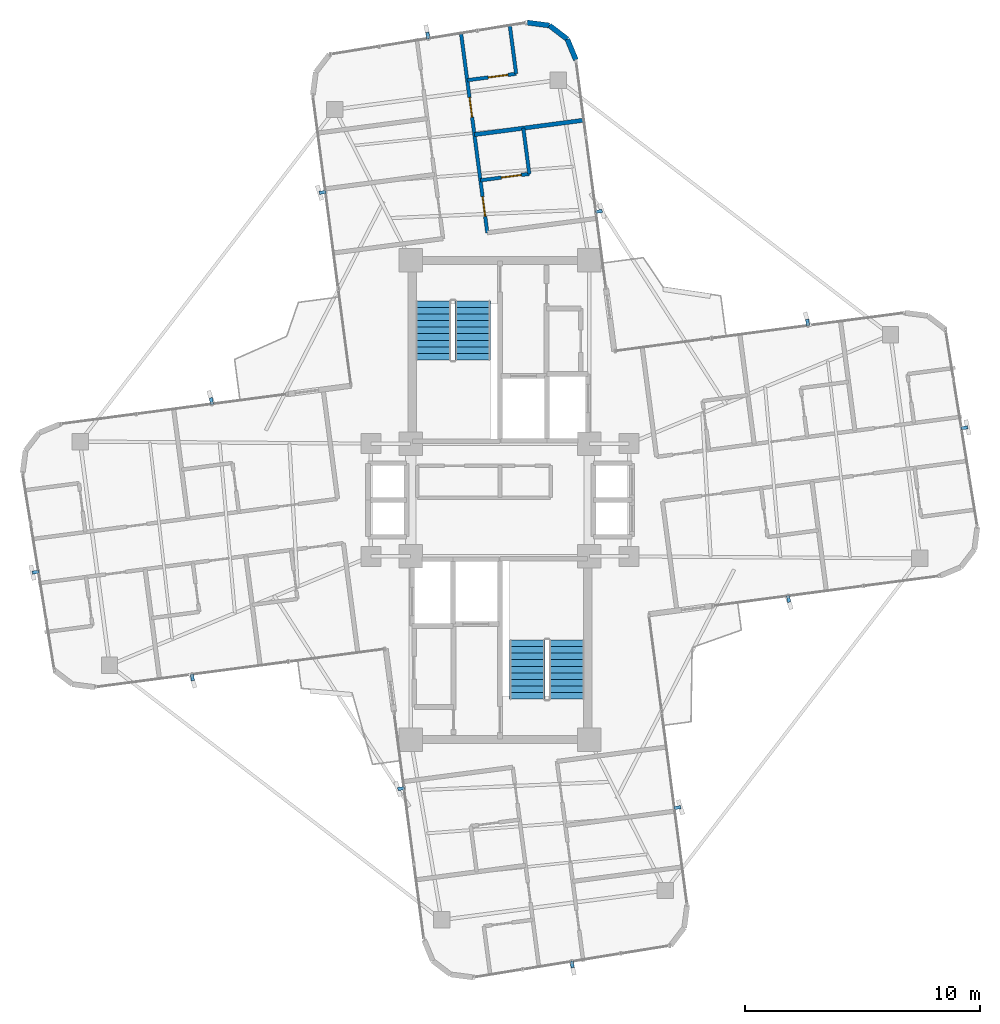
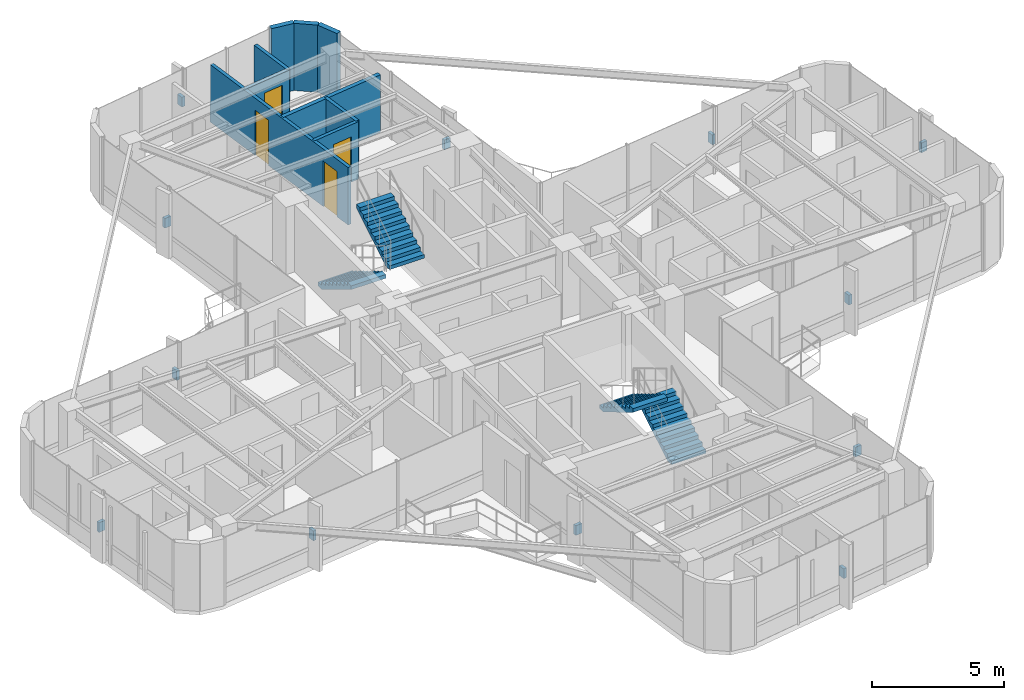
# One storey, part 21 of 22: 12 discrete accessories, 9 walls, 4 doors, 4 stair flights, 4 openings, 2 elements without a shape of their own.
"""IFC4 building model written with IfcOpenShell, lengths in metres."""

from ifc_helpers import new_model, si_unit, direction, frame, frame_2d, origin, origin_2d, place, context, subcontext, project, spatial, polyline, rectangle, outline, extrude, source, transform, mapped, material, layer, layer_set, type_object, element, fill, aggregate, save


model = new_model("IFC4")

# Units and contexts
model_context = context("Model", 3, precision=1e-05, world=origin(), true_north=direction((0.0, 1.0)))
body_context = subcontext(model_context, "Body", "Model", "MODEL_VIEW")
ifc_project = project(units=[si_unit("LENGTHUNIT", "METRE"), si_unit("AREAUNIT", "SQUARE_METRE"), si_unit("VOLUMEUNIT", "CUBIC_METRE"), si_unit("PLANEANGLEUNIT", "RADIAN"), si_unit("MASSUNIT", "GRAM", prefix="KILO")], contexts=[model_context])

# Site, building, storey
site_placement = place(None, origin())
site = spatial("IfcSite", under=ifc_project, at=site_placement, CompositionType="ELEMENT")
building_placement = place(site_placement, origin())
building = spatial("IfcBuilding", under=site, at=building_placement, Name="Sahyath Konkavel Grand Hotel", CompositionType="ELEMENT")
storey_placement = place(building_placement, frame((0.0, 0.0, 206.5)))
storey = spatial("IfcBuildingStorey", under=building, at=storey_placement, Name="L57", CompositionType="ELEMENT", Elevation=206.5)

# Walls
ifc_material_1 = material(Name="Warm Buff Sandstone Insulated Concrete C40/50", Category="masonry")
ifc_layer_1 = layer(ifc_material_1, 0.219970703125)
ifc_layer_set_1 = layer_set([ifc_layer_1], Name="Warm Buff Sandstone Insulated Concrete C40/50")
wall_type_1 = type_object("IfcWallType", Name="WLL-BALC-THRESH", PredefinedType="STANDARD", material=ifc_layer_set_1)
for number, where, z_axis, x_axis, name in (
    (1, (3.232666015625, 18.732177734375, 0.0), (0.0, 0.0, 1.0), (-0.382659506909, 0.923889442397, 0.0), "L57 Rounded Corner Sandstone Pier 9"),
    (2, (2.8662109375, 19.616943359375, 0.0), (0.0, 0.0, 1.0), (-0.793343685778, 0.608774010809, 0.0), "L57 Rounded Corner Sandstone Pier 10"),
    (3, (2.1064453125, 20.199951171875, 0.0), (0.0, 0.0, 1.0), (-0.991444747987, 0.130527053476, 0.0), "L57 Rounded Corner Sandstone Pier 11"),
):
    element("IfcWall", number, at=place(storey_placement, frame(where, z_axis=z_axis, x_axis=x_axis)), inside=storey, type_object=wall_type_1, Name=name, PredefinedType="STANDARD", context=body_context, shape_type="SweptSolid", body=[
        extrude(rectangle(XDim=0.957763671875, YDim=0.219970703125, at=frame_2d((0.47900390625, 0.0))), origin(), (0.0, 0.0, 1.0), 3.110107421875),
    ])
ifc_material_2 = material(Name="Twin-Stud Acoustic Gypsum Plasterboard Partition")
ifc_layer_2 = layer(ifc_material_2, 0.179931640625)
ifc_layer_set_2 = layer_set([ifc_layer_2], Name="Twin-Stud Acoustic Gypsum Plasterboard Partition")
wall_type_2 = type_object("IfcWallType", Name="WLL-DEMISE-180", PredefinedType="PARTITIONING", material=ifc_layer_set_2)
wall_1_placement = place(storey_placement, frame((-1.089599609375, 15.5546875, 0.0), z_axis=(0.0, 0.0, 1.0), x_axis=(0.991438025456, 0.130578105667, 0.0)))
element("IfcWall", 4, at=wall_1_placement, inside=storey, type_object=wall_type_2, Name="L57 Partition N-N1R-DEM", PredefinedType="PARTITIONING", context=body_context, shape_type="SweptSolid", body=[
    extrude(rectangle(XDim=4.64990234375, YDim=0.179931640625, at=frame_2d((2.324951171875, 0.0))), origin(), (0.0, 0.0, 1.0), 2.659912109375),
])

# Wall, openings, doors
ifc_material_3 = material(Name="Fire-Rated Gypsum Plasterboard Partition")
ifc_layer_3 = layer(ifc_material_3, 0.14990234375)
ifc_layer_set_3 = layer_set([ifc_layer_3], Name="Fire-Rated Gypsum Plasterboard Partition")
wall_type_3 = type_object("IfcWallType", Name="WLL-PART-150", PredefinedType="PARTITIONING", material=ifc_layer_set_3)
wall_2_placement = place(storey_placement, frame((-0.53955078125, 11.376953125, 0.0), z_axis=(0.0, 0.0, 1.0), x_axis=(-0.130530885115, 0.991444243531, 0.0)))
wall_2 = element("IfcWall", 5, at=wall_2_placement, inside=storey, type_object=wall_type_3, Name="L57 Partition N-CR", PredefinedType="PARTITIONING", context=body_context, shape_type="SweptSolid", body=[
    extrude(rectangle(XDim=8.599853515625, YDim=0.14990234375, at=frame_2d((4.2998046875, 0.0))), origin(), (0.0, 0.0, 1.0), 2.659912109375),
])
opening_1_placement = place(wall_2_placement, frame((0.699951171875, 0.0, 0.0)))
opening_1 = element("IfcOpeningElement", 6, at=opening_1_placement, cuts=wall_2, Name="Opening D-F06D", PredefinedType="OPENING", context=body_context, shape_type="SweptSolid", body=[
    extrude(rectangle(XDim=0.85009765625, YDim=2.10009765625, at=frame_2d((0.425048828125, 1.050048828125))), frame((0.0, 0.0849609375, 0.0), z_axis=(0.0, -1.0, 0.0), x_axis=(1.0, 0.0, 0.0)), (0.0, 0.0, 1.0), 0.169921875),
])
opening_2_placement = place(wall_2_placement, frame((4.95703125, 0.0, 0.0)))
opening_2 = element("IfcOpeningElement", 7, at=opening_2_placement, cuts=wall_2, Name="Opening D-F06D", PredefinedType="OPENING", context=body_context, shape_type="SweptSolid", body=[
    extrude(rectangle(XDim=0.85009765625, YDim=2.10009765625, at=frame_2d((0.425048828125, 1.050048828125))), frame((0.0, 0.0849609375, 0.0), z_axis=(0.0, -1.0, 0.0), x_axis=(1.0, 0.0, 0.0)), (0.0, 0.0, 1.0), 0.169921875),
])
ifc_material_4 = material(Name="Fire-Rated Shaft Access Door")
door_type_1 = type_object("IfcDoorType", Name="DR-FD60-850", OperationType="NOTDEFINED", PredefinedType="DOOR", material=ifc_material_4)
shared_shape_1 = source(origin(), body_context, "Body", "SweptSolid", [
    extrude(rectangle(XDim=0.85009765625, YDim=0.050048828125, at=origin_2d()), origin(), (0.0, 0.0, 1.0), 2.10009765625),
])
door_1_placement = place(opening_1_placement, frame((0.425048828125, 0.0, 0.0)))
door_1 = element("IfcDoor", 8, at=door_1_placement, inside=storey, type_object=door_type_1, Name="L57 Door N-N1R-ED", OperationType="SINGLE_SWING_LEFT", OverallHeight=2.10009765625, OverallWidth=0.85009765625, PredefinedType="DOOR", context=body_context, shape_type="MappedRepresentation", body=[
    mapped(shared_shape_1, transform((0.0, 0.0, 0.0), scale=1.0)),
])
fill(opening_1, door_1)
door_2_placement = place(opening_2_placement, frame((0.425048828125, 0.0, 0.0)))
door_2 = element("IfcDoor", 9, at=door_2_placement, inside=storey, type_object=door_type_1, Name="L57 Door N-N2R-ED", OperationType="SINGLE_SWING_LEFT", OverallHeight=2.10009765625, OverallWidth=0.85009765625, PredefinedType="DOOR", context=body_context, shape_type="MappedRepresentation", body=[
    mapped(shared_shape_1, transform((0.0, 0.0, 0.0), scale=1.0)),
])
fill(opening_2, door_2)

# Wall, opening, door
wall_3_placement = place(storey_placement, frame((-0.833251953125, 13.607666015625, 0.0), z_axis=(0.0, 0.0, 1.0), x_axis=(0.991440836415, 0.130556761174, 0.0)))
wall_3 = element("IfcWall", 10, at=wall_3_placement, inside=storey, type_object=wall_type_3, Name="L57 Partition N-N1R-BS", PredefinedType="PARTITIONING", context=body_context, shape_type="SweptSolid", body=[
    extrude(rectangle(XDim=2.10009765625, YDim=0.14990234375, at=frame_2d((1.050048828125, 0.0))), origin(), (0.0, 0.0, 1.0), 2.659912109375),
])
opening_3_placement = place(wall_3_placement, frame((0.89990234375, 0.0, 0.0)))
opening_3 = element("IfcOpeningElement", 11, at=opening_3_placement, cuts=wall_3, Name="Opening D-BT85", PredefinedType="OPENING", context=body_context, shape_type="SweptSolid", body=[
    extrude(rectangle(XDim=0.85009765625, YDim=2.10009765625, at=frame_2d((0.425048828125, 1.050048828125))), frame((0.0, 0.0849609375, 0.0), z_axis=(0.0, -1.0, 0.0), x_axis=(1.0, 0.0, 0.0)), (0.0, 0.0, 1.0), 0.169921875),
])
ifc_material_5 = material(Name="Moisture-Resistant Teak Bathroom Door")
door_type_2 = type_object("IfcDoorType", Name="DR-BATH-850", OperationType="NOTDEFINED", PredefinedType="DOOR", material=ifc_material_5)
door_3_placement = place(opening_3_placement, frame((0.425048828125, 0.0, 0.0)))
door_3 = element("IfcDoor", 12, at=door_3_placement, inside=storey, type_object=door_type_2, Name="L57 Door N-N1R-BD", OperationType="SINGLE_SWING_RIGHT", OverallHeight=2.10009765625, OverallWidth=0.85009765625, PredefinedType="DOOR", context=body_context, shape_type="MappedRepresentation", body=[
    mapped(shared_shape_1, transform((0.0, 0.0, 0.0), scale=1.0)),
])
fill(opening_3, door_3)

# Wall
wall_4_placement = place(storey_placement, frame((1.248779296875, 13.8818359375, 0.0), z_axis=(0.0, 0.0, 1.0), x_axis=(-0.130518821872, 0.991445831671, 0.0)))
element("IfcWall", 13, at=wall_4_placement, inside=storey, type_object=wall_type_3, Name="L57 Partition N-N1R-BF", PredefinedType="PARTITIONING", context=body_context, shape_type="SweptSolid", body=[
    extrude(rectangle(XDim=1.964111328125, YDim=0.14990234375, at=frame_2d((0.98193359375, 0.0))), origin(), (0.0, 0.0, 1.0), 2.659912109375),
])

# Wall, opening, door
wall_5_placement = place(storey_placement, frame((-1.39453125, 17.870849609375, 0.0), z_axis=(0.0, 0.0, 1.0), x_axis=(0.991440836415, 0.130556761174, 0.0)))
wall_5 = element("IfcWall", 14, at=wall_5_placement, inside=storey, type_object=wall_type_3, Name="L57 Partition N-N2R-BS", PredefinedType="PARTITIONING", context=body_context, shape_type="SweptSolid", body=[
    extrude(rectangle(XDim=2.10009765625, YDim=0.14990234375, at=frame_2d((1.050048828125, 0.0))), origin(), (0.0, 0.0, 1.0), 2.659912109375),
])
opening_4_placement = place(wall_5_placement, frame((0.89990234375, 0.0, 0.0)))
opening_4 = element("IfcOpeningElement", 15, at=opening_4_placement, cuts=wall_5, Name="Opening D-BT85", PredefinedType="OPENING", context=body_context, shape_type="SweptSolid", body=[
    extrude(rectangle(XDim=0.85009765625, YDim=2.10009765625, at=frame_2d((0.425048828125, 1.050048828125))), frame((0.0, 0.0849609375, 0.0), z_axis=(0.0, -1.0, 0.0), x_axis=(1.0, 0.0, 0.0)), (0.0, 0.0, 1.0), 0.169921875),
])
door_4_placement = place(opening_4_placement, frame((0.425048828125, 0.0, 0.0)))
door_4 = element("IfcDoor", 16, at=door_4_placement, inside=storey, type_object=door_type_2, Name="L57 Door N-N2R-BD", OperationType="SINGLE_SWING_RIGHT", OverallHeight=2.10009765625, OverallWidth=0.85009765625, PredefinedType="DOOR", context=body_context, shape_type="MappedRepresentation", body=[
    mapped(shared_shape_1, transform((0.0, 0.0, 0.0), scale=1.0)),
])
fill(opening_4, door_4)

# Wall
wall_6_placement = place(storey_placement, frame((0.6875, 18.14501953125, 0.0), z_axis=(0.0, 0.0, 1.0), x_axis=(-0.13052536781, 0.991444969909, 0.0)))
element("IfcWall", 17, at=wall_6_placement, inside=storey, type_object=wall_type_3, Name="L57 Partition N-N2R-BF", PredefinedType="PARTITIONING", context=body_context, shape_type="SweptSolid", body=[
    extrude(rectangle(XDim=2.050048828125, YDim=0.14990234375, at=frame_2d((1.02490234375, 0.0))), origin(), (0.0, 0.0, 1.0), 2.659912109375),
])

# Stair, stair flights
ifc_material_6 = material(Name="Concrete C40/50", Category="concrete")
stair_type = type_object("IfcStairType", Name="STR-ST16-335", PredefinedType="HALF_TURN_STAIR", material=ifc_material_6)
stair_1_placement = place(storey_placement, origin())
stair_1 = element("IfcStair", 18, at=stair_1_placement, inside=storey, type_object=stair_type, Name="L57 North Core Smokeproof Exit Stair ST-1", PredefinedType="HALF_TURN_STAIR")
stair_flight_type = type_object("IfcStairFlightType", Name="STF-ST16-335", PredefinedType="STRAIGHT", material=ifc_material_6)
stair_flight_1_placement = place(storey_placement, frame((-2.840087890625, 8.47998046875, 0.0), z_axis=(0.0, 0.0, 1.0), x_axis=(0.0, -1.0, 0.0)))
stair_flight_1 = element("IfcStairFlight", 19, at=stair_flight_1_placement, type_object=stair_flight_type, Name="ST-1 flight 1", NumberOfRisers=10, NumberOfTreads=9, PredefinedType="STRAIGHT", RiserHeight=0.1675, TreadLength=0.28, context=body_context, shape_type="SweptSolid", body=[
    extrude(outline(polyline([(0.0, 0.0), (0.0, 0.16748046875), (0.280029296875, 0.16748046875), (0.280029296875, 0.3349609375), (0.56005859375, 0.3349609375), (0.56005859375, 0.50244140625), (0.840087890625, 0.50244140625), (0.840087890625, 0.669921875), (1.1201171875, 0.669921875), (1.1201171875, 0.83740234375), (1.39990234375, 0.83740234375), (1.39990234375, 1.0048828125), (1.679931640625, 1.0048828125), (1.679931640625, 1.172607421875), (1.9599609375, 1.172607421875), (1.9599609375, 1.340087890625), (2.239990234375, 1.340087890625), (2.239990234375, 1.507568359375), (2.52001953125, 1.507568359375), (2.52001953125, 1.675048828125), (2.52001953125, 1.332763671875), (0.2919921875, 0.0), (0.0, 0.0)])), frame((0.0, 0.760009765625, 0.0), z_axis=(0.0, -1.0, 0.0), x_axis=(1.0, 0.0, 0.0)), (0.0, 0.0, 1.0), 1.52001953125),
])
stair_flight_2_placement = place(storey_placement, frame((-1.159912109375, 5.9599609375, 1.675048828125), z_axis=(0.0, 0.0, 1.0), x_axis=(0.0, 1.0, 0.0)))
stair_flight_2 = element("IfcStairFlight", 20, at=stair_flight_2_placement, type_object=stair_flight_type, Name="ST-1 flight 2", NumberOfRisers=10, NumberOfTreads=9, PredefinedType="STRAIGHT", RiserHeight=0.1675, TreadLength=0.28, context=body_context, shape_type="SweptSolid", body=[
    extrude(outline(polyline([(0.0, 0.0), (0.0, 0.16748046875), (0.280029296875, 0.16748046875), (0.280029296875, 0.3349609375), (0.56005859375, 0.3349609375), (0.56005859375, 0.50244140625), (0.840087890625, 0.50244140625), (0.840087890625, 0.669921875), (1.1201171875, 0.669921875), (1.1201171875, 0.83740234375), (1.39990234375, 0.83740234375), (1.39990234375, 1.0048828125), (1.679931640625, 1.0048828125), (1.679931640625, 1.172607421875), (1.9599609375, 1.172607421875), (1.9599609375, 1.340087890625), (2.239990234375, 1.340087890625), (2.239990234375, 1.507568359375), (2.52001953125, 1.507568359375), (2.52001953125, 1.675048828125), (2.52001953125, 1.332763671875), (0.2919921875, 0.0), (0.0, 0.0)])), frame((0.0, 0.760009765625, 0.0), z_axis=(0.0, -1.0, 0.0), x_axis=(1.0, 0.0, 0.0)), (0.0, 0.0, 1.0), 1.52001953125),
])
aggregate(stair_1, [stair_flight_1, stair_flight_2])

stair_2_placement = place(storey_placement, origin())
stair_2 = element("IfcStair", 21, at=stair_2_placement, inside=storey, type_object=stair_type, Name="L57 South Core Smokeproof Exit Stair ST-2", PredefinedType="HALF_TURN_STAIR")
stair_flight_3_placement = place(storey_placement, frame((2.840087890625, -8.47998046875, 0.0), z_axis=(0.0, 0.0, 1.0), x_axis=(0.0, 1.0, 0.0)))
stair_flight_3 = element("IfcStairFlight", 22, at=stair_flight_3_placement, type_object=stair_flight_type, Name="ST-2 flight 1", NumberOfRisers=10, NumberOfTreads=9, PredefinedType="STRAIGHT", RiserHeight=0.1675, TreadLength=0.28, context=body_context, shape_type="SweptSolid", body=[
    extrude(outline(polyline([(0.0, 0.0), (0.0, 0.16748046875), (0.280029296875, 0.16748046875), (0.280029296875, 0.3349609375), (0.56005859375, 0.3349609375), (0.56005859375, 0.50244140625), (0.840087890625, 0.50244140625), (0.840087890625, 0.669921875), (1.1201171875, 0.669921875), (1.1201171875, 0.83740234375), (1.39990234375, 0.83740234375), (1.39990234375, 1.0048828125), (1.679931640625, 1.0048828125), (1.679931640625, 1.172607421875), (1.9599609375, 1.172607421875), (1.9599609375, 1.340087890625), (2.239990234375, 1.340087890625), (2.239990234375, 1.507568359375), (2.52001953125, 1.507568359375), (2.52001953125, 1.675048828125), (2.52001953125, 1.332763671875), (0.2919921875, 0.0), (0.0, 0.0)])), frame((0.0, 0.760009765625, 0.0), z_axis=(0.0, -1.0, 0.0), x_axis=(1.0, 0.0, 0.0)), (0.0, 0.0, 1.0), 1.52001953125),
])
stair_flight_4_placement = place(storey_placement, frame((1.159912109375, -5.9599609375, 1.675048828125), z_axis=(0.0, 0.0, 1.0), x_axis=(0.0, -1.0, 0.0)))
stair_flight_4 = element("IfcStairFlight", 23, at=stair_flight_4_placement, type_object=stair_flight_type, Name="ST-2 flight 2", NumberOfRisers=10, NumberOfTreads=9, PredefinedType="STRAIGHT", RiserHeight=0.1675, TreadLength=0.28, context=body_context, shape_type="SweptSolid", body=[
    extrude(outline(polyline([(0.0, 0.0), (0.0, 0.16748046875), (0.280029296875, 0.16748046875), (0.280029296875, 0.3349609375), (0.56005859375, 0.3349609375), (0.56005859375, 0.50244140625), (0.840087890625, 0.50244140625), (0.840087890625, 0.669921875), (1.1201171875, 0.669921875), (1.1201171875, 0.83740234375), (1.39990234375, 0.83740234375), (1.39990234375, 1.0048828125), (1.679931640625, 1.0048828125), (1.679931640625, 1.172607421875), (1.9599609375, 1.172607421875), (1.9599609375, 1.340087890625), (2.239990234375, 1.340087890625), (2.239990234375, 1.507568359375), (2.52001953125, 1.507568359375), (2.52001953125, 1.675048828125), (2.52001953125, 1.332763671875), (0.2919921875, 0.0), (0.0, 0.0)])), frame((0.0, 0.760009765625, 0.0), z_axis=(0.0, -1.0, 0.0), x_axis=(1.0, 0.0, 0.0)), (0.0, 0.0, 1.0), 1.52001953125),
])
aggregate(stair_2, [stair_flight_3, stair_flight_4])

# Discrete accessories
ifc_material_7 = material(Name="Steel E350", Category="steel")
discrete_accessory_type = type_object("IfcDiscreteAccessoryType", Name="ACC-FIN-BRACKET", PredefinedType="BRACKET", material=ifc_material_7)
shared_shape_2 = source(origin(), body_context, "Body", "SweptSolid", [
    extrude(rectangle(XDim=0.280029296875, YDim=0.139892578125, at=origin_2d()), origin(), (0.0, 0.0, 1.0), 0.449951171875),
])
for number, where, z_axis, x_axis, name in (
    (24, (12.284912109375, -4.212646484375, 1.330078125), (0.0, 0.0, 1.0), (0.13052619222, -0.991444861374, 0.0), "L57 Fin Support Bracket F0-1"),
    (25, (19.77392578125, 3.073486328125, 1.330078125), (0.0, 0.0, 1.0), (0.98723096667, 0.159295381124, 0.0), "L57 Fin Support Bracket F4-2"),
    (26, (13.095947265625, 7.553955078125, 1.330078125), (0.0, 0.0, 1.0), (-0.13052619222, 0.991444861374, 0.0), "L57 Fin Support Bracket F7-1"),
    (27, (4.212646484375, 12.284912109375, 1.330078125), (0.0, 0.0, 1.0), (0.991444861374, 0.13052619222, 0.0), "L57 Fin Support Bracket F8-1"),
    (28, (-3.073486328125, 19.77392578125, 1.330078125), (0.0, 0.0, 1.0), (-0.159295381124, 0.98723096667, 0.0), "L57 Fin Support Bracket F12-2"),
    (29, (-7.553955078125, 13.095947265625, 1.330078125), (0.0, 0.0, 1.0), (-0.991444861374, -0.13052619222, 0.0), "L57 Fin Support Bracket F15-1"),
    (30, (-12.284912109375, 4.212646484375, 1.330078125), (0.0, 0.0, 1.0), (-0.13052619222, 0.991444861374, 0.0), "L57 Fin Support Bracket F16-1"),
    (31, (-19.77392578125, -3.073486328125, 1.330078125), (0.0, 0.0, 1.0), (-0.98723096667, -0.159295381124, 0.0), "L57 Fin Support Bracket F20-2"),
    (32, (-13.095947265625, -7.553955078125, 1.330078125), (0.0, 0.0, 1.0), (0.13052619222, -0.991444861374, 0.0), "L57 Fin Support Bracket F23-1"),
    (33, (-4.212646484375, -12.284912109375, 1.330078125), (0.0, 0.0, 1.0), (-0.991444861374, -0.13052619222, 0.0), "L57 Fin Support Bracket F24-1"),
    (34, (3.073486328125, -19.77392578125, 1.330078125), (0.0, 0.0, 1.0), (0.159295381124, -0.98723096667, 0.0), "L57 Fin Support Bracket F28-2"),
    (35, (7.553955078125, -13.095947265625, 1.330078125), (0.0, 0.0, 1.0), (0.991444861374, 0.13052619222, 0.0), "L57 Fin Support Bracket F31-1"),
):
    element("IfcDiscreteAccessory", number, at=place(storey_placement, frame(where, z_axis=z_axis, x_axis=x_axis)), inside=storey, type_object=discrete_accessory_type, Name=name, PredefinedType="BRACKET", context=body_context, shape_type="MappedRepresentation", body=[
        mapped(shared_shape_2, transform((0.0, 0.0, 0.0), scale=1.0)),
    ])

save(model, "model.ifc")
